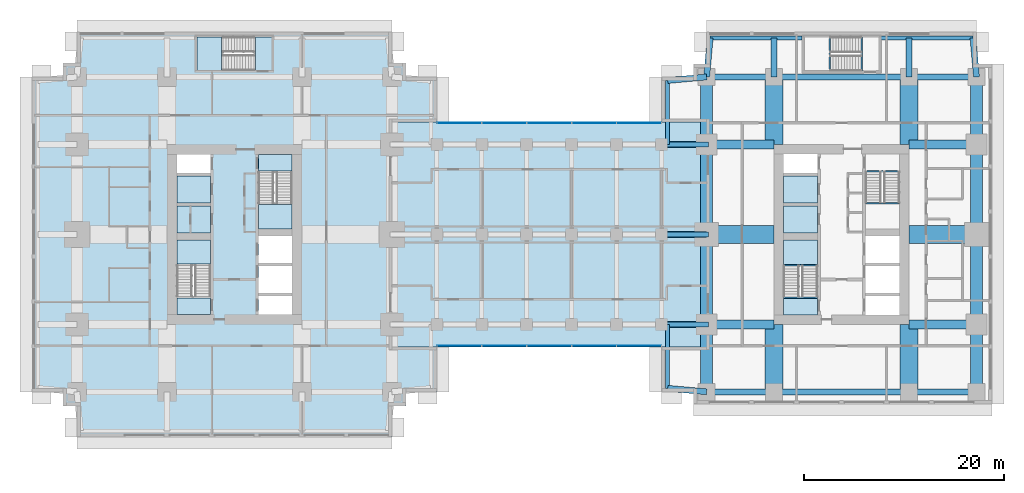
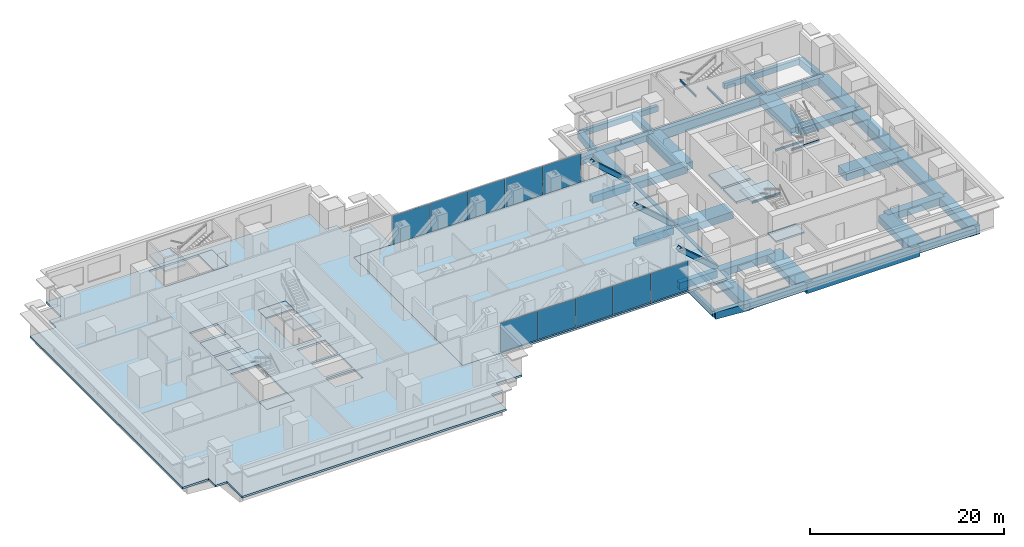
# One storey, part 5 of 16: 43 beams, 14 slabs, 10 plates, 3 members, 6 elements without a shape of their own.
"""IFC4 building model written with IfcOpenShell, lengths in metres."""

from ifc_helpers import new_model, si_unit, direction, frame, origin, origin_2d, place, context, subcontext, project, spatial, polyline, rectangle, hollow_rectangle, i_section, outline, extrude, material, layer, layer_set, material_profile, profile_set, type_object, element, aggregate, save


model = new_model("IFC4")

# Units and contexts
model_context = context("Model", 3, precision=1e-05, world=origin(), true_north=direction((0.0, 1.0)))
body_context = subcontext(model_context, "Body", "Model", "MODEL_VIEW")
ifc_project = project(units=[si_unit("LENGTHUNIT", "METRE"), si_unit("AREAUNIT", "SQUARE_METRE"), si_unit("VOLUMEUNIT", "CUBIC_METRE"), si_unit("PLANEANGLEUNIT", "RADIAN"), si_unit("MASSUNIT", "GRAM", prefix="KILO")], contexts=[model_context])

# Site, building, storey
site_placement = place(None, origin())
site = spatial("IfcSite", under=ifc_project, at=site_placement, CompositionType="ELEMENT")
building_placement = place(site_placement, origin())
building = spatial("IfcBuilding", under=site, at=building_placement, Name="Namib Vertical Campus", CompositionType="ELEMENT")
storey_placement = place(building_placement, frame((0.0, 0.0, 121.0)))
storey = spatial("IfcBuildingStorey", under=building, at=storey_placement, Name="L28", CompositionType="ELEMENT", Elevation=121.0)

# Members
ifc_material_1 = material(Name="Steel S355JR", Category="steel")
ifc_material_profile_1 = material_profile(ifc_material_1, hollow_rectangle(XDim=0.5, YDim=0.5, WallThickness=0.031982421875, at=origin_2d()))
ifc_profile_set_1 = profile_set([ifc_material_profile_1], Name="Steel S355JR")
member_type = type_object("IfcMemberType", Name="Bridge end brace WB 500x500x32", PredefinedType="BRACE", material=ifc_profile_set_1)
for number, where, z_axis, x_axis, name in (
    (1, (67.5, 11.25, 0.0), (-0.747409318684, 0.0, 0.66436383883), (0.0, -1.0, 0.0), "Bridge brace BX1 L28 T1 bay 7"),
    (2, (67.5, 20.25, 0.0), (-0.747409318684, 0.0, 0.66436383883), (0.0, -1.0, 0.0), "Bridge brace BX1 L28 T2 bay 7"),
    (3, (67.5, 29.25, 0.0), (-0.747409318684, 0.0, 0.66436383883), (0.0, -1.0, 0.0), "Bridge brace BX1 L28 T3 bay 7"),
):
    element("IfcMember", number, at=place(storey_placement, frame(where, z_axis=z_axis, x_axis=x_axis)), inside=storey, type_object=member_type, Name=name, PredefinedType="BRACE", context=body_context, shape_type="SweptSolid", body=[
        extrude(hollow_rectangle(XDim=0.5, YDim=0.5, WallThickness=0.031982421875, at=origin_2d()), origin(), (0.0, 0.0, 1.0), 6.020751953125),
    ])

# Beams
ifc_material_2 = material(Name="Steel S355JR", Category="steel")
ifc_material_profile_2 = material_profile(ifc_material_2, hollow_rectangle(XDim=0.60009765625, YDim=0.89990234375, WallThickness=0.050048828125, at=origin_2d()))
ifc_profile_set_2 = profile_set([ifc_material_profile_2], Name="Steel S355JR")
beam_type_1 = type_object("IfcBeamType", Name="Bridge girder WB 900x600x50", PredefinedType="BEAM", material=ifc_profile_set_2)
for number, where, z_axis, x_axis, name in (
    (4, (63.0, 11.25, -0.699951171875), (1.0, 0.0, 0.0), (0.0, 1.0, 0.0), "Bridge girder BG1 L28"),
    (5, (63.0, 20.25, -0.699951171875), (1.0, 0.0, 0.0), (0.0, 1.0, 0.0), "Bridge girder BG1 L28"),
    (6, (63.0, 29.25, -0.699951171875), (1.0, 0.0, 0.0), (0.0, 1.0, 0.0), "Bridge girder BG1 L28"),
):
    element("IfcBeam", number, at=place(storey_placement, frame(where, z_axis=z_axis, x_axis=x_axis)), inside=storey, type_object=beam_type_1, Name=name, PredefinedType="BEAM", context=body_context, shape_type="SweptSolid", body=[
        extrude(hollow_rectangle(XDim=0.60009765625, YDim=0.89990234375, WallThickness=0.050048828125, at=origin_2d()), origin(), (0.0, 0.0, 1.0), 4.5),
    ])
ifc_material_3 = material(Name="Concrete C40/50", Category="concrete")
ifc_material_profile_3 = material_profile(ifc_material_3, rectangle(XDim=0.60009765625, YDim=0.89990234375, at=origin_2d()))
ifc_profile_set_3 = profile_set([ifc_material_profile_3], Name="Concrete C40/50")
beam_type_2 = type_object("IfcBeamType", Name="Cantilever girder RC 600x900", PredefinedType="BEAM", material=ifc_profile_set_3)
beam_1_placement = place(storey_placement, frame((67.5, 36.0, -0.699951171875), z_axis=(0.089411326146, 0.995994786511, 0.0), x_axis=(-0.995994786511, 0.089411326146, 0.0)))
element("IfcBeam", 7, at=beam_1_placement, inside=storey, type_object=beam_type_2, Name="Beam B3 L28", PredefinedType="BEAM", context=body_context, shape_type="SweptSolid", body=[
    extrude(rectangle(XDim=0.60009765625, YDim=0.89990234375, at=origin_2d()), origin(), (0.0, 0.0, 1.0), 3.91552734375),
])
for number, where, z_axis, x_axis, name in (
    (8, (74.25, 36.0, -0.699951171875), (0.0, 1.0, 0.0), (-1.0, 0.0, 0.0), "Beam B3 L28"),
    (9, (87.75, 36.0, -0.699951171875), (0.0, 1.0, 0.0), (-1.0, 0.0, 0.0), "Beam B3 L28"),
):
    element("IfcBeam", number, at=place(storey_placement, frame(where, z_axis=z_axis, x_axis=x_axis)), inside=storey, type_object=beam_type_2, Name=name, PredefinedType="BEAM", context=body_context, shape_type="SweptSolid", body=[
        extrude(rectangle(XDim=0.60009765625, YDim=0.89990234375, at=origin_2d()), origin(), (0.0, 0.0, 1.0), 3.89990234375),
    ])
for number, where, z_axis, x_axis, name in (
    (10, (94.5, 36.0, -0.699951171875), (-0.089411326146, 0.995994786511, 0.0), (-0.995994786511, -0.089411326146, 0.0), "Beam B3 L28"),
    (11, (67.5, 4.5, -0.699951171875), (-0.995994786511, 0.089411326146, 0.0), (-0.089411326146, -0.995994786511, 0.0), "Beam B3 L28"),
    (12, (67.5, 36.0, -0.699951171875), (-0.995994786511, -0.089411326146, 0.0), (0.089411326146, -0.995994786511, 0.0), "Beam B3 L28"),
):
    element("IfcBeam", number, at=place(storey_placement, frame(where, z_axis=z_axis, x_axis=x_axis)), inside=storey, type_object=beam_type_2, Name=name, PredefinedType="BEAM", context=body_context, shape_type="SweptSolid", body=[
        extrude(rectangle(XDim=0.60009765625, YDim=0.89990234375, at=origin_2d()), origin(), (0.0, 0.0, 1.0), 3.91552734375),
    ])
ifc_material_4 = material(Name="Concrete C40/50", Category="concrete")
ifc_material_profile_4 = material_profile(ifc_material_4, rectangle(XDim=0.39990234375, YDim=0.699951171875, at=origin_2d()))
ifc_profile_set_4 = profile_set([ifc_material_profile_4], Name="Concrete C40/50")
beam_type_3 = type_object("IfcBeamType", Name="Edge beam RC 400x700", PredefinedType="SPANDREL", material=ifc_profile_set_4)
for number, where, z_axis, x_axis, name in (
    (13, (67.85009765625, 39.89990234375, -0.60009765625), (1.0, 0.0, 0.0), (0.0, 1.0, 0.0), "Beam B4 L28"),
    (14, (84.949951171875, 39.89990234375, -0.60009765625), (1.0, 0.0, 0.0), (0.0, 1.0, 0.0), "Beam B4 L28"),
):
    element("IfcBeam", number, at=place(storey_placement, frame(where, z_axis=z_axis, x_axis=x_axis)), inside=storey, type_object=beam_type_3, Name=name, PredefinedType="SPANDREL", context=body_context, shape_type="SweptSolid", body=[
        extrude(rectangle(XDim=0.39990234375, YDim=0.699951171875, at=origin_2d()), origin(), (0.0, 0.0, 1.0), 9.199951171875),
    ])
for number, where, z_axis, x_axis, name in (
    (15, (63.60009765625, 4.85009765625, -0.60009765625), (0.0, 1.0, 0.0), (-1.0, 0.0, 0.0), "Beam B4 L28"),
    (16, (63.60009765625, 29.25, -0.60009765625), (0.0, 1.0, 0.0), (-1.0, 0.0, 0.0), "Beam B4 L28"),
):
    element("IfcBeam", number, at=place(storey_placement, frame(where, z_axis=z_axis, x_axis=x_axis)), inside=storey, type_object=beam_type_3, Name=name, PredefinedType="SPANDREL", context=body_context, shape_type="SweptSolid", body=[
        extrude(rectangle(XDim=0.39990234375, YDim=0.699951171875, at=origin_2d()), origin(), (0.0, 0.0, 1.0), 6.39990234375),
    ])
ifc_material_5 = material(Name="Concrete C40/50", Category="concrete")
ifc_material_profile_5 = material_profile(ifc_material_5, rectangle(XDim=0.89990234375, YDim=0.89990234375, at=origin_2d()))
ifc_profile_set_5 = profile_set([ifc_material_profile_5], Name="Concrete C40/50")
beam_type_4 = type_object("IfcBeamType", Name="Face girder RC 900x900", PredefinedType="BEAM", material=ifc_profile_set_5)
for number, where, z_axis, x_axis, name in (
    (17, (67.5, 11.25, -0.699951171875), (1.0, 0.0, 0.0), (0.0, 1.0, 0.0), "Beam B10 L28"),
    (18, (94.5, 11.25, -0.699951171875), (-1.0, 0.0, 0.0), (0.0, -1.0, 0.0), "Beam B10 L28"),
    (19, (67.5, 29.25, -0.699951171875), (1.0, 0.0, 0.0), (0.0, 1.0, 0.0), "Beam B10 L28"),
    (20, (94.5, 29.25, -0.699951171875), (-1.0, 0.0, 0.0), (0.0, -1.0, 0.0), "Beam B10 L28"),
):
    element("IfcBeam", number, at=place(storey_placement, frame(where, z_axis=z_axis, x_axis=x_axis)), inside=storey, type_object=beam_type_4, Name=name, PredefinedType="BEAM", context=body_context, shape_type="SweptSolid", body=[
        extrude(rectangle(XDim=0.89990234375, YDim=0.89990234375, at=origin_2d()), origin(), (0.0, 0.0, 1.0), 6.75),
    ])
ifc_material_6 = material(Name="Concrete C40/50", Category="concrete")
ifc_material_profile_6 = material_profile(ifc_material_6, rectangle(XDim=1.199951171875, YDim=1.10009765625, at=origin_2d()))
ifc_profile_set_6 = profile_set([ifc_material_profile_6], Name="Concrete C40/50")
beam_type_5 = type_object("IfcBeamType", Name="Face ring beam RC 1200x1100", PredefinedType="BEAM", material=ifc_profile_set_6)
beam_2_placement = place(storey_placement, frame((67.5, 4.5, -0.800048828125), z_axis=(0.0, 1.0, 0.0), x_axis=(-1.0, 0.0, 0.0)))
element("IfcBeam", 21, at=beam_2_placement, inside=storey, type_object=beam_type_5, Name="Beam B11 L28", PredefinedType="BEAM", context=body_context, shape_type="SweptSolid", body=[
    extrude(rectangle(XDim=1.199951171875, YDim=1.10009765625, at=origin_2d()), origin(), (0.0, 0.0, 1.0), 6.75),
])
for number, where, z_axis, x_axis, name in (
    (22, (67.5, 11.25, -0.800048828125), (0.0, 1.0, 0.0), (-1.0, 0.0, 0.0), "Beam B11 L28"),
    (23, (67.5, 20.25, -0.800048828125), (0.0, 1.0, 0.0), (-1.0, 0.0, 0.0), "Beam B11 L28"),
):
    element("IfcBeam", number, at=place(storey_placement, frame(where, z_axis=z_axis, x_axis=x_axis)), inside=storey, type_object=beam_type_5, Name=name, PredefinedType="BEAM", context=body_context, shape_type="SweptSolid", body=[
        extrude(rectangle(XDim=1.199951171875, YDim=1.10009765625, at=origin_2d()), origin(), (0.0, 0.0, 1.0), 9.0),
    ])
for number, where, z_axis, x_axis, name in (
    (24, (67.5, 29.25, -0.800048828125), (0.0, 1.0, 0.0), (-1.0, 0.0, 0.0), "Beam B11 L28"),
    (25, (94.5, 4.5, -0.800048828125), (0.0, 1.0, 0.0), (-1.0, 0.0, 0.0), "Beam B11 L28"),
):
    element("IfcBeam", number, at=place(storey_placement, frame(where, z_axis=z_axis, x_axis=x_axis)), inside=storey, type_object=beam_type_5, Name=name, PredefinedType="BEAM", context=body_context, shape_type="SweptSolid", body=[
        extrude(rectangle(XDim=1.199951171875, YDim=1.10009765625, at=origin_2d()), origin(), (0.0, 0.0, 1.0), 6.75),
    ])
for number, where, z_axis, x_axis, name in (
    (26, (94.5, 11.25, -0.800048828125), (0.0, 1.0, 0.0), (-1.0, 0.0, 0.0), "Beam B11 L28"),
    (27, (94.5, 20.25, -0.800048828125), (0.0, 1.0, 0.0), (-1.0, 0.0, 0.0), "Beam B11 L28"),
):
    element("IfcBeam", number, at=place(storey_placement, frame(where, z_axis=z_axis, x_axis=x_axis)), inside=storey, type_object=beam_type_5, Name=name, PredefinedType="BEAM", context=body_context, shape_type="SweptSolid", body=[
        extrude(rectangle(XDim=1.199951171875, YDim=1.10009765625, at=origin_2d()), origin(), (0.0, 0.0, 1.0), 9.0),
    ])
beam_3_placement = place(storey_placement, frame((94.5, 29.25, -0.800048828125), z_axis=(0.0, 1.0, 0.0), x_axis=(-1.0, 0.0, 0.0)))
element("IfcBeam", 28, at=beam_3_placement, inside=storey, type_object=beam_type_5, Name="Beam B11 L28", PredefinedType="BEAM", context=body_context, shape_type="SweptSolid", body=[
    extrude(rectangle(XDim=1.199951171875, YDim=1.10009765625, at=origin_2d()), origin(), (0.0, 0.0, 1.0), 6.75),
])
ifc_material_7 = material(Name="Steel S355JR", Category="steel")
ifc_material_profile_7 = material_profile(ifc_material_7, i_section(OverallWidth=0.14599609375, OverallDepth=0.25146484375, WebThickness=0.006103515625, FlangeThickness=0.008544921875, FilletRadius=0.007568359375, at=origin_2d()))
ifc_profile_set_7 = profile_set([ifc_material_profile_7], Name="Steel S355JR")
beam_type_6 = type_object("IfcBeamType", Name="Landing trimmer UB 254x146x31", PredefinedType="BEAM", material=ifc_profile_set_7)
for number, where, z_axis, x_axis, name in (
    (29, (75.199951171875, 13.927001953125, -0.125732421875), (1.0, 0.0, 0.0), (0.0, 1.0, 0.0), "Landing trimmer LT1 B-S1 L28 1"),
    (30, (75.199951171875, 17.153076171875, 1.874267578125), (1.0, 0.0, 0.0), (0.0, 1.0, 0.0), "Landing trimmer LT1 B-S1 L28 2"),
    (31, (83.39990234375, 26.572998046875, -0.125732421875), (1.0, 0.0, 0.0), (0.0, 1.0, 0.0), "Landing trimmer LT1 B-S2 L28 1"),
    (32, (83.39990234375, 23.346923828125, 1.874267578125), (1.0, 0.0, 0.0), (0.0, 1.0, 0.0), "Landing trimmer LT1 B-S2 L28 2"),
):
    element("IfcBeam", number, at=place(storey_placement, frame(where, z_axis=z_axis, x_axis=x_axis)), inside=storey, type_object=beam_type_6, Name=name, PredefinedType="BEAM", context=body_context, shape_type="SweptSolid", body=[
        extrude(i_section(OverallWidth=0.14599609375, OverallDepth=0.25146484375, WebThickness=0.006103515625, FlangeThickness=0.008544921875, FilletRadius=0.007568359375, at=origin_2d()), origin(), (0.0, 0.0, 1.0), 3.400146484375),
    ])
for number, where, z_axis, x_axis, name in (
    (33, (83.02294921875, 36.60009765625, -0.125732421875), (0.0, 1.0, 0.0), (-1.0, 0.0, 0.0), "Landing trimmer LT1 B-S3 L28 1"),
    (34, (79.796875, 36.60009765625, 1.874267578125), (0.0, 1.0, 0.0), (-1.0, 0.0, 0.0), "Landing trimmer LT1 B-S3 L28 2"),
):
    element("IfcBeam", number, at=place(storey_placement, frame(where, z_axis=z_axis, x_axis=x_axis)), inside=storey, type_object=beam_type_6, Name=name, PredefinedType="BEAM", context=body_context, shape_type="SweptSolid", body=[
        extrude(i_section(OverallWidth=0.14599609375, OverallDepth=0.25146484375, WebThickness=0.006103515625, FlangeThickness=0.008544921875, FilletRadius=0.007568359375, at=origin_2d()), origin(), (0.0, 0.0, 1.0), 3.39990234375),
    ])
ifc_material_8 = material(Name="Concrete C40/50", Category="concrete")
ifc_material_profile_8 = material_profile(ifc_material_8, rectangle(XDim=0.60009765625, YDim=1.199951171875, at=origin_2d()))
ifc_profile_set_8 = profile_set([ifc_material_profile_8], Name="Concrete C40/50")
beam_type_7 = type_object("IfcBeamType", Name="Long-span ring beam RC 600x1200", PredefinedType="BEAM", material=ifc_profile_set_8)
for number, where, z_axis, x_axis, name in (
    (35, (74.25, 4.5, -0.85009765625), (1.0, 0.0, 0.0), (0.0, 1.0, 0.0), "Beam B9 L28"),
    (36, (74.25, 36.0, -0.85009765625), (1.0, 0.0, 0.0), (0.0, 1.0, 0.0), "Beam B9 L28"),
):
    element("IfcBeam", number, at=place(storey_placement, frame(where, z_axis=z_axis, x_axis=x_axis)), inside=storey, type_object=beam_type_7, Name=name, PredefinedType="BEAM", context=body_context, shape_type="SweptSolid", body=[
        extrude(rectangle(XDim=0.60009765625, YDim=1.199951171875, at=origin_2d()), origin(), (0.0, 0.0, 1.0), 13.5),
    ])
ifc_material_9 = material(Name="Concrete C40/50", Category="concrete")
ifc_material_profile_9 = material_profile(ifc_material_9, rectangle(XDim=1.800048828125, YDim=0.89990234375, at=origin_2d()))
ifc_profile_set_9 = profile_set([ifc_material_profile_9], Name="Concrete C40/50")
beam_type_8 = type_object("IfcBeamType", Name="Outrigger line girder RC 1800x900", PredefinedType="BEAM", material=ifc_profile_set_9)
for number, where, z_axis, x_axis, name in (
    (37, (74.25, 4.5, -0.699951171875), (0.0, 1.0, 0.0), (-1.0, 0.0, 0.0), "Beam B12 L28"),
    (38, (74.25, 36.0, -0.699951171875), (0.0, -1.0, 0.0), (1.0, 0.0, 0.0), "Beam B12 L28"),
    (39, (87.75, 4.5, -0.699951171875), (0.0, 1.0, 0.0), (-1.0, 0.0, 0.0), "Beam B12 L28"),
    (40, (87.75, 36.0, -0.699951171875), (0.0, -1.0, 0.0), (1.0, 0.0, 0.0), "Beam B12 L28"),
    (41, (67.5, 20.25, -0.699951171875), (1.0, 0.0, 0.0), (0.0, 1.0, 0.0), "Beam B12 L28"),
    (42, (94.5, 20.25, -0.699951171875), (-1.0, 0.0, 0.0), (0.0, -1.0, 0.0), "Beam B12 L28"),
):
    element("IfcBeam", number, at=place(storey_placement, frame(where, z_axis=z_axis, x_axis=x_axis)), inside=storey, type_object=beam_type_8, Name=name, PredefinedType="BEAM", context=body_context, shape_type="SweptSolid", body=[
        extrude(rectangle(XDim=1.800048828125, YDim=0.89990234375, at=origin_2d()), origin(), (0.0, 0.0, 1.0), 6.75),
    ])
ifc_material_10 = material(Name="Concrete C40/50", Category="concrete")
ifc_material_profile_10 = material_profile(ifc_material_10, rectangle(XDim=0.60009765625, YDim=0.800048828125, at=origin_2d()))
ifc_profile_set_10 = profile_set([ifc_material_profile_10], Name="Concrete C40/50")
beam_type_9 = type_object("IfcBeamType", Name="Ring beam RC 600x800", PredefinedType="BEAM", material=ifc_profile_set_10)
for number, where, z_axis, x_axis, name in (
    (43, (67.5, 4.5, -0.64990234375), (1.0, 0.0, 0.0), (0.0, 1.0, 0.0), "Beam B1 L28"),
    (44, (87.75, 4.5, -0.64990234375), (1.0, 0.0, 0.0), (0.0, 1.0, 0.0), "Beam B1 L28"),
    (45, (67.5, 36.0, -0.64990234375), (1.0, 0.0, 0.0), (0.0, 1.0, 0.0), "Beam B1 L28"),
    (46, (87.75, 36.0, -0.64990234375), (1.0, 0.0, 0.0), (0.0, 1.0, 0.0), "Beam B1 L28"),
):
    element("IfcBeam", number, at=place(storey_placement, frame(where, z_axis=z_axis, x_axis=x_axis)), inside=storey, type_object=beam_type_9, Name=name, PredefinedType="BEAM", context=body_context, shape_type="SweptSolid", body=[
        extrude(rectangle(XDim=0.60009765625, YDim=0.800048828125, at=origin_2d()), origin(), (0.0, 0.0, 1.0), 6.75),
    ])

# Curtain wall, plates
ifc_material_11 = material(Name="Black aluminium curtain wall", Category="aluminium")
ifc_layer_1 = layer(ifc_material_11, 0.199951171875)
ifc_layer_set_1 = layer_set([ifc_layer_1], Name="Bridge curtain wall CW-BR")
curtain_wall_type = type_object("IfcCurtainWallType", Name="Bridge curtain wall CW-BR", PredefinedType="USERDEFINED", material=ifc_layer_set_1)
curtain_wall_1_placement = place(storey_placement, origin())
curtain_wall_1 = element("IfcCurtainWall", 47, at=curtain_wall_1_placement, inside=storey, type_object=curtain_wall_type, Name="Curtain wall CW-BR L28 S", ObjectType="CURTAIN WALL", PredefinedType="USERDEFINED")
ifc_material_12 = material(Name="Dark tinted glass", Category="glass")
ifc_layer_2 = layer(ifc_material_12, 0.028076171875)
ifc_layer_set_2 = layer_set([ifc_layer_2], Name="Dark solar glass panel 28")
plate_type = type_object("IfcPlateType", Name="Dark solar glass panel 28", PredefinedType="CURTAIN_PANEL", material=ifc_layer_set_2)
plate_1_placement = place(storey_placement, frame((42.764892578125, 9.10009765625, 0.06005859375), z_axis=(0.0, 0.0, 1.0), x_axis=(1.0, 0.0, 0.0)))
plate_1 = element("IfcPlate", 48, at=plate_1_placement, type_object=plate_type, Name="CW-BR panel 1.1", PredefinedType="CURTAIN_PANEL", context=body_context, shape_type="SweptSolid", body=[
    extrude(rectangle(XDim=4.409912109375, YDim=0.028076171875, at=origin_2d()), origin(), (0.0, 0.0, 1.0), 3.6298828125),
])
plate_2_placement = place(storey_placement, frame((47.25, 9.10009765625, 0.06005859375), z_axis=(0.0, 0.0, 1.0), x_axis=(1.0, 0.0, 0.0)))
plate_2 = element("IfcPlate", 49, at=plate_2_placement, type_object=plate_type, Name="CW-BR panel 2.1", PredefinedType="CURTAIN_PANEL", context=body_context, shape_type="SweptSolid", body=[
    extrude(rectangle(XDim=4.43994140625, YDim=0.028076171875, at=origin_2d()), origin(), (0.0, 0.0, 1.0), 3.6298828125),
])
plate_3_placement = place(storey_placement, frame((51.75, 9.10009765625, 0.06005859375), z_axis=(0.0, 0.0, 1.0), x_axis=(1.0, 0.0, 0.0)))
plate_3 = element("IfcPlate", 50, at=plate_3_placement, type_object=plate_type, Name="CW-BR panel 3.1", PredefinedType="CURTAIN_PANEL", context=body_context, shape_type="SweptSolid", body=[
    extrude(rectangle(XDim=4.43994140625, YDim=0.028076171875, at=origin_2d()), origin(), (0.0, 0.0, 1.0), 3.6298828125),
])
plate_4_placement = place(storey_placement, frame((56.25, 9.10009765625, 0.06005859375), z_axis=(0.0, 0.0, 1.0), x_axis=(1.0, 0.0, 0.0)))
plate_4 = element("IfcPlate", 51, at=plate_4_placement, type_object=plate_type, Name="CW-BR panel 4.1", PredefinedType="CURTAIN_PANEL", context=body_context, shape_type="SweptSolid", body=[
    extrude(rectangle(XDim=4.43994140625, YDim=0.028076171875, at=origin_2d()), origin(), (0.0, 0.0, 1.0), 3.6298828125),
])
plate_5_placement = place(storey_placement, frame((60.735107421875, 9.10009765625, 0.06005859375), z_axis=(0.0, 0.0, 1.0), x_axis=(1.0, 0.0, 0.0)))
plate_5 = element("IfcPlate", 52, at=plate_5_placement, type_object=plate_type, Name="CW-BR panel 5.1", PredefinedType="CURTAIN_PANEL", context=body_context, shape_type="SweptSolid", body=[
    extrude(rectangle(XDim=4.409912109375, YDim=0.028076171875, at=origin_2d()), origin(), (0.0, 0.0, 1.0), 3.6298828125),
])
aggregate(curtain_wall_1, [plate_1, plate_2, plate_3, plate_4, plate_5])

curtain_wall_2_placement = place(storey_placement, origin())
curtain_wall_2 = element("IfcCurtainWall", 53, at=curtain_wall_2_placement, inside=storey, type_object=curtain_wall_type, Name="Curtain wall CW-BR L28 N", ObjectType="CURTAIN WALL", PredefinedType="USERDEFINED")
plate_6_placement = place(storey_placement, frame((60.735107421875, 31.39990234375, 0.06005859375), z_axis=(0.0, 0.0, 1.0), x_axis=(-1.0, 0.0, 0.0)))
plate_6 = element("IfcPlate", 54, at=plate_6_placement, type_object=plate_type, Name="CW-BR panel 1.1", PredefinedType="CURTAIN_PANEL", context=body_context, shape_type="SweptSolid", body=[
    extrude(rectangle(XDim=4.409912109375, YDim=0.028076171875, at=origin_2d()), origin(), (0.0, 0.0, 1.0), 3.6298828125),
])
plate_7_placement = place(storey_placement, frame((56.25, 31.39990234375, 0.06005859375), z_axis=(0.0, 0.0, 1.0), x_axis=(-1.0, 0.0, 0.0)))
plate_7 = element("IfcPlate", 55, at=plate_7_placement, type_object=plate_type, Name="CW-BR panel 2.1", PredefinedType="CURTAIN_PANEL", context=body_context, shape_type="SweptSolid", body=[
    extrude(rectangle(XDim=4.43994140625, YDim=0.028076171875, at=origin_2d()), origin(), (0.0, 0.0, 1.0), 3.6298828125),
])
plate_8_placement = place(storey_placement, frame((51.75, 31.39990234375, 0.06005859375), z_axis=(0.0, 0.0, 1.0), x_axis=(-1.0, 0.0, 0.0)))
plate_8 = element("IfcPlate", 56, at=plate_8_placement, type_object=plate_type, Name="CW-BR panel 3.1", PredefinedType="CURTAIN_PANEL", context=body_context, shape_type="SweptSolid", body=[
    extrude(rectangle(XDim=4.43994140625, YDim=0.028076171875, at=origin_2d()), origin(), (0.0, 0.0, 1.0), 3.6298828125),
])
plate_9_placement = place(storey_placement, frame((47.25, 31.39990234375, 0.06005859375), z_axis=(0.0, 0.0, 1.0), x_axis=(-1.0, 0.0, 0.0)))
plate_9 = element("IfcPlate", 57, at=plate_9_placement, type_object=plate_type, Name="CW-BR panel 4.1", PredefinedType="CURTAIN_PANEL", context=body_context, shape_type="SweptSolid", body=[
    extrude(rectangle(XDim=4.43994140625, YDim=0.028076171875, at=origin_2d()), origin(), (0.0, 0.0, 1.0), 3.6298828125),
])
plate_10_placement = place(storey_placement, frame((42.764892578125, 31.39990234375, 0.06005859375), z_axis=(0.0, 0.0, 1.0), x_axis=(-1.0, 0.0, 0.0)))
plate_10 = element("IfcPlate", 58, at=plate_10_placement, type_object=plate_type, Name="CW-BR panel 5.1", PredefinedType="CURTAIN_PANEL", context=body_context, shape_type="SweptSolid", body=[
    extrude(rectangle(XDim=4.409912109375, YDim=0.028076171875, at=origin_2d()), origin(), (0.0, 0.0, 1.0), 3.6298828125),
])
aggregate(curtain_wall_2, [plate_6, plate_7, plate_8, plate_9, plate_10])

# Slabs
ifc_material_13 = material(Name="Concrete C40/50", Category="concrete")
ifc_layer_3 = layer(ifc_material_13, 0.25)
ifc_layer_set_3 = layer_set([ifc_layer_3], Name="Concrete C40/50")
slab_type_1 = type_object("IfcSlabType", Name="Floor slab 250", PredefinedType="FLOOR", material=ifc_layer_set_3)
slab_1_placement = place(storey_placement, frame((0.0, 0.0, -0.25)))
element("IfcSlab", 59, at=slab_1_placement, inside=storey, type_object=slab_type_1, Name="Floor slab A L28", PredefinedType="FLOOR", context=body_context, shape_type="SweptSolid", body=[
    extrude(outline(polyline([(4.5, 3.10009765625), (4.5, 0.0), (36.0, 0.0), (36.0, 3.10009765625), (37.39990234375, 3.10009765625), (37.39990234375, 4.5), (40.5, 4.5), (40.5, 9.0), (36.0, 9.0), (36.0, 31.5), (40.5, 31.5), (40.5, 36.0), (37.39990234375, 36.0), (37.39990234375, 37.39990234375), (36.0, 37.39990234375), (36.0, 40.5), (4.5, 40.5), (4.5, 37.39990234375), (3.10009765625, 37.39990234375), (3.10009765625, 36.0), (0.0, 36.0), (0.0, 4.5), (3.10009765625, 4.5), (3.10009765625, 3.10009765625), (4.5, 3.10009765625)]), holes=[polyline([(14.5, 12.25), (17.85009765625, 12.25), (17.85009765625, 19.699951171875), (14.5, 19.699951171875), (14.5, 12.25)]), polyline([(22.64990234375, 20.800048828125), (26.0, 20.800048828125), (26.0, 28.25), (22.64990234375, 28.25), (22.64990234375, 20.800048828125)]), polyline([(22.64990234375, 12.25), (26.0, 12.25), (26.0, 14.10009765625), (22.64990234375, 14.10009765625), (22.64990234375, 12.25)]), polyline([(14.5, 20.39990234375), (17.85009765625, 20.39990234375), (17.85009765625, 23.10009765625), (14.5, 23.10009765625), (14.5, 20.39990234375)]), polyline([(14.5, 23.39990234375), (17.85009765625, 23.39990234375), (17.85009765625, 26.10009765625), (14.5, 26.10009765625), (14.5, 23.39990234375)]), polyline([(14.5, 26.39990234375), (17.85009765625, 26.39990234375), (17.85009765625, 28.25), (14.5, 28.25), (14.5, 26.39990234375)]), polyline([(22.64990234375, 14.39990234375), (26.0, 14.39990234375), (26.0, 17.10009765625), (22.64990234375, 17.10009765625), (22.64990234375, 14.39990234375)]), polyline([(22.64990234375, 17.39990234375), (26.0, 17.39990234375), (26.0, 20.10009765625), (22.64990234375, 20.10009765625), (22.64990234375, 17.39990234375)]), polyline([(16.5, 36.64990234375), (24.0, 36.64990234375), (24.0, 40.0), (16.5, 40.0), (16.5, 36.64990234375)])]), origin(), (0.0, 0.0, 1.0), 0.25),
])
slab_2_placement = place(storey_placement, frame((0.0, 0.0, -0.25)))
element("IfcSlab", 60, at=slab_2_placement, inside=storey, type_object=slab_type_1, Name="Bridge floor L28", PredefinedType="FLOOR", context=body_context, shape_type="SweptSolid", body=[
    extrude(outline(polyline([(36.0, 9.0), (67.5, 9.0), (67.5, 31.5), (36.0, 31.5), (36.0, 9.0)])), origin(), (0.0, 0.0, 1.0), 0.25),
])
ifc_material_14 = material(Name="Concrete C40/50 precast", Category="concrete")
ifc_layer_4 = layer(ifc_material_14, 0.25)
ifc_layer_set_4 = layer_set([ifc_layer_4], Name="Concrete C40/50 precast")
slab_type_2 = type_object("IfcSlabType", Name="Shaft infill floor 250", PredefinedType="FLOOR", material=ifc_layer_set_4)
slab_3_placement = place(storey_placement, frame((0.0, 0.0, -0.25)))
element("IfcSlab", 61, at=slab_3_placement, inside=storey, type_object=slab_type_2, Name="Shaft infill floor A L28 P1", PredefinedType="FLOOR", context=body_context, shape_type="SweptSolid", body=[
    extrude(outline(polyline([(14.5, 20.39990234375), (17.85009765625, 20.39990234375), (17.85009765625, 23.10009765625), (14.5, 23.10009765625), (14.5, 20.39990234375)])), origin(), (0.0, 0.0, 1.0), 0.25),
])
slab_4_placement = place(storey_placement, frame((0.0, 0.0, -0.25)))
element("IfcSlab", 62, at=slab_4_placement, inside=storey, type_object=slab_type_2, Name="Shaft infill floor A L28 P2", PredefinedType="FLOOR", context=body_context, shape_type="SweptSolid", body=[
    extrude(outline(polyline([(14.5, 23.39990234375), (17.85009765625, 23.39990234375), (17.85009765625, 26.10009765625), (14.5, 26.10009765625), (14.5, 23.39990234375)])), origin(), (0.0, 0.0, 1.0), 0.25),
])
slab_5_placement = place(storey_placement, frame((0.0, 0.0, -0.25)))
element("IfcSlab", 63, at=slab_5_placement, inside=storey, type_object=slab_type_2, Name="Shaft infill floor B L28 P1", PredefinedType="FLOOR", context=body_context, shape_type="SweptSolid", body=[
    extrude(outline(polyline([(75.199951171875, 20.39990234375), (78.60009765625, 20.39990234375), (78.60009765625, 23.10009765625), (75.199951171875, 23.10009765625), (75.199951171875, 20.39990234375)])), origin(), (0.0, 0.0, 1.0), 0.25),
])
slab_6_placement = place(storey_placement, frame((0.0, 0.0, -0.25)))
element("IfcSlab", 64, at=slab_6_placement, inside=storey, type_object=slab_type_2, Name="Shaft infill floor B L28 P2", PredefinedType="FLOOR", context=body_context, shape_type="SweptSolid", body=[
    extrude(outline(polyline([(75.199951171875, 23.39990234375), (78.60009765625, 23.39990234375), (78.60009765625, 26.10009765625), (75.199951171875, 26.10009765625), (75.199951171875, 23.39990234375)])), origin(), (0.0, 0.0, 1.0), 0.25),
])

# Stair, slabs
ifc_material_15 = material(Name="Concrete C40/50 precast", Category="concrete")
stair_type_1 = type_object("IfcStairType", Name="Exit stair 4000 rise 24 risers 3350 wide", PredefinedType="HALF_TURN_STAIR", material=ifc_material_15)
stair_1_placement = place(storey_placement, origin())
stair_1 = element("IfcStair", 65, at=stair_1_placement, inside=storey, type_object=stair_type_1, Name="Exit stair A-S1 L28", PredefinedType="HALF_TURN_STAIR")
ifc_material_16 = material(Name="Concrete C40/50", Category="concrete")
ifc_layer_5 = layer(ifc_material_16, 0.199951171875)
ifc_layer_set_5 = layer_set([ifc_layer_5], Name="Concrete C40/50")
slab_type_3 = type_object("IfcSlabType", Name="Stair landing 200", PredefinedType="LANDING", material=ifc_layer_set_5)
slab_7_placement = place(storey_placement, frame((0.0, 0.0, -0.199951171875)))
slab_7 = element("IfcSlab", 66, at=slab_7_placement, type_object=slab_type_3, Name="A-S1 landing 1", PredefinedType="LANDING", context=body_context, shape_type="SweptSolid", body=[
    extrude(outline(polyline([(14.5, 12.25), (17.85009765625, 12.25), (17.85009765625, 13.90380859375), (14.5, 13.90380859375), (14.5, 12.25)])), origin(), (0.0, 0.0, 1.0), 0.199951171875),
])
slab_8_placement = place(storey_placement, frame((0.0, 0.0, 1.800048828125)))
slab_8 = element("IfcSlab", 67, at=slab_8_placement, type_object=slab_type_3, Name="A-S1 landing 2", PredefinedType="LANDING", context=body_context, shape_type="SweptSolid", body=[
    extrude(outline(polyline([(14.5, 17.276123046875), (17.85009765625, 17.276123046875), (17.85009765625, 19.699951171875), (14.5, 19.699951171875), (14.5, 17.276123046875)])), origin(), (0.0, 0.0, 1.0), 0.199951171875),
])
aggregate(stair_1, [slab_7, slab_8])

stair_2_placement = place(storey_placement, origin())
stair_2 = element("IfcStair", 68, at=stair_2_placement, inside=storey, type_object=stair_type_1, Name="Exit stair A-S2 L28", PredefinedType="HALF_TURN_STAIR")
slab_9_placement = place(storey_placement, frame((0.0, 0.0, -0.199951171875)))
slab_9 = element("IfcSlab", 69, at=slab_9_placement, type_object=slab_type_3, Name="A-S2 landing 1", PredefinedType="LANDING", context=body_context, shape_type="SweptSolid", body=[
    extrude(outline(polyline([(22.64990234375, 26.59619140625), (26.0, 26.59619140625), (26.0, 28.25), (22.64990234375, 28.25), (22.64990234375, 26.59619140625)])), origin(), (0.0, 0.0, 1.0), 0.199951171875),
])
slab_10_placement = place(storey_placement, frame((0.0, 0.0, 1.800048828125)))
slab_10 = element("IfcSlab", 70, at=slab_10_placement, type_object=slab_type_3, Name="A-S2 landing 2", PredefinedType="LANDING", context=body_context, shape_type="SweptSolid", body=[
    extrude(outline(polyline([(22.64990234375, 20.800048828125), (26.0, 20.800048828125), (26.0, 23.223876953125), (22.64990234375, 23.223876953125), (22.64990234375, 20.800048828125)])), origin(), (0.0, 0.0, 1.0), 0.199951171875),
])
aggregate(stair_2, [slab_9, slab_10])

ifc_material_17 = material(Name="Concrete C40/50 precast", Category="concrete")
stair_type_2 = type_object("IfcStairType", Name="Exit stair 4000 rise 24 risers 3400 wide", PredefinedType="HALF_TURN_STAIR", material=ifc_material_17)
stair_3_placement = place(storey_placement, origin())
stair_3 = element("IfcStair", 71, at=stair_3_placement, inside=storey, type_object=stair_type_2, Name="Exit stair B-S1 L28", PredefinedType="HALF_TURN_STAIR")
slab_11_placement = place(storey_placement, frame((0.0, 0.0, -0.199951171875)))
slab_11 = element("IfcSlab", 72, at=slab_11_placement, type_object=slab_type_3, Name="B-S1 landing 1", PredefinedType="LANDING", context=body_context, shape_type="SweptSolid", body=[
    extrude(outline(polyline([(75.199951171875, 12.199951171875), (78.60009765625, 12.199951171875), (78.60009765625, 13.85400390625), (75.199951171875, 13.85400390625), (75.199951171875, 12.199951171875)])), origin(), (0.0, 0.0, 1.0), 0.199951171875),
])
slab_12_placement = place(storey_placement, frame((0.0, 0.0, 1.800048828125)))
slab_12 = element("IfcSlab", 73, at=slab_12_placement, type_object=slab_type_3, Name="B-S1 landing 2", PredefinedType="LANDING", context=body_context, shape_type="SweptSolid", body=[
    extrude(outline(polyline([(75.199951171875, 17.22607421875), (78.60009765625, 17.22607421875), (78.60009765625, 19.699951171875), (75.199951171875, 19.699951171875), (75.199951171875, 17.22607421875)])), origin(), (0.0, 0.0, 1.0), 0.199951171875),
])
aggregate(stair_3, [slab_11, slab_12])

stair_4_placement = place(storey_placement, origin())
stair_4 = element("IfcStair", 74, at=stair_4_placement, inside=storey, type_object=stair_type_1, Name="Exit stair A-S3 L28", PredefinedType="HALF_TURN_STAIR")
slab_13_placement = place(storey_placement, frame((0.0, 0.0, -0.199951171875)))
slab_13 = element("IfcSlab", 75, at=slab_13_placement, type_object=slab_type_3, Name="A-S3 landing 1", PredefinedType="LANDING", context=body_context, shape_type="SweptSolid", body=[
    extrude(outline(polyline([(22.34619140625, 36.64990234375), (22.34619140625, 40.0), (24.0, 40.0), (24.0, 36.64990234375), (22.34619140625, 36.64990234375)])), origin(), (0.0, 0.0, 1.0), 0.199951171875),
])
slab_14_placement = place(storey_placement, frame((0.0, 0.0, 1.800048828125)))
slab_14 = element("IfcSlab", 76, at=slab_14_placement, type_object=slab_type_3, Name="A-S3 landing 2", PredefinedType="LANDING", context=body_context, shape_type="SweptSolid", body=[
    extrude(outline(polyline([(16.5, 36.64990234375), (16.5, 40.0), (18.973876953125, 40.0), (18.973876953125, 36.64990234375), (16.5, 36.64990234375)])), origin(), (0.0, 0.0, 1.0), 0.199951171875),
])
aggregate(stair_4, [slab_13, slab_14])

save(model, "model.ifc")
